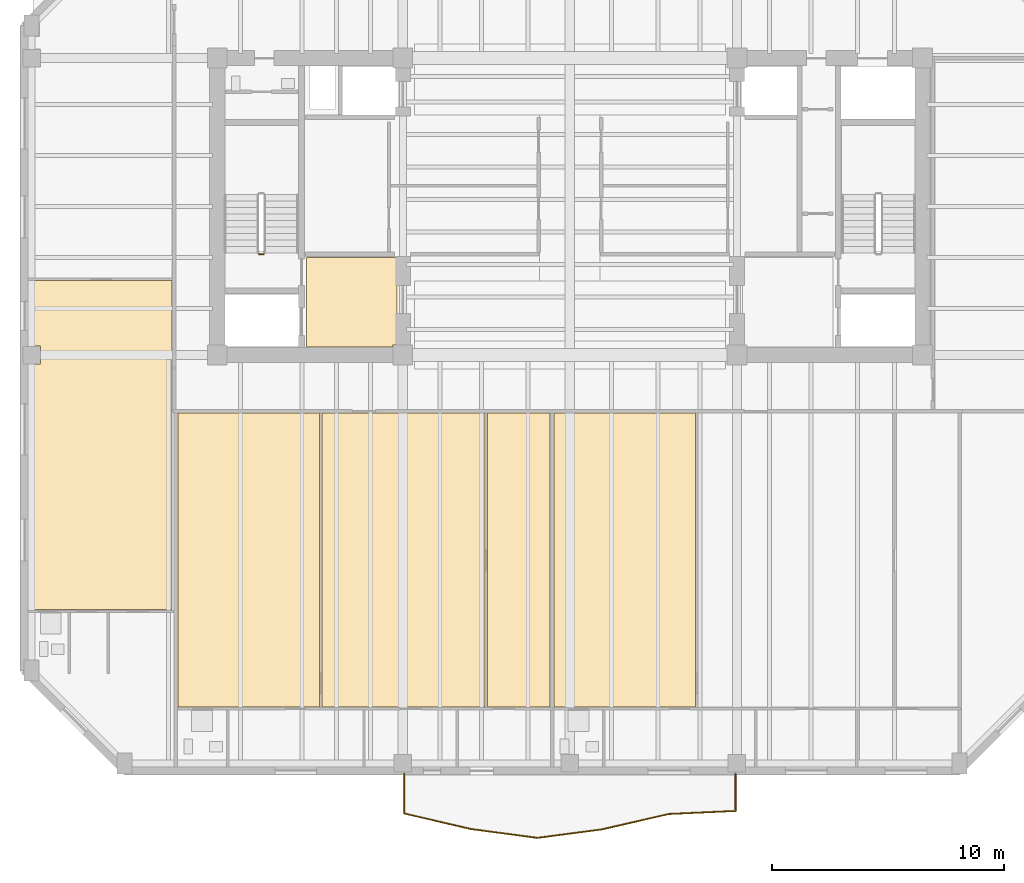
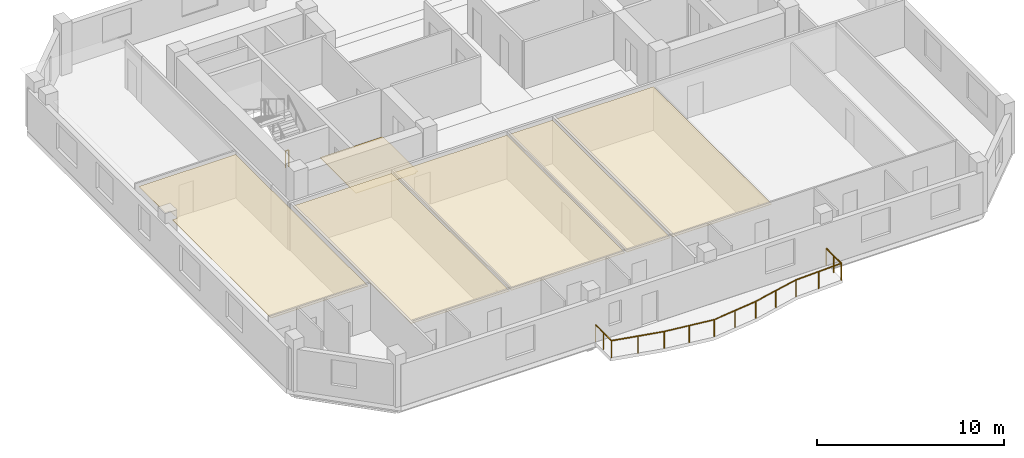
# One storey, part 7 of 11: 6 coverings, 2 railings.
"""IFC4 building model written with IfcOpenShell, lengths in metres."""

from ifc_helpers import new_model, si_unit, direction, frame, origin, origin_2d, place, context, subcontext, project, spatial, polyline, circle, outline, extrude, material, layer, layer_set, type_object, element, save


model = new_model("IFC4")

# Units and contexts
model_context = context("Model", 3, precision=1e-05, world=origin(), true_north=direction((0.0, 1.0)))
body_context = subcontext(model_context, "Body", "Model", "MODEL_VIEW")
ifc_project = project(units=[si_unit("LENGTHUNIT", "METRE"), si_unit("AREAUNIT", "SQUARE_METRE"), si_unit("VOLUMEUNIT", "CUBIC_METRE"), si_unit("PLANEANGLEUNIT", "RADIAN"), si_unit("MASSUNIT", "GRAM", prefix="KILO")], contexts=[model_context])

# Site, building, storey
site_placement = place(None, origin())
site = spatial("IfcSite", under=ifc_project, at=site_placement, CompositionType="ELEMENT")
building_placement = place(site_placement, origin())
building = spatial("IfcBuilding", under=site, at=building_placement, Name="Kranthara Brick Stack", CompositionType="ELEMENT")
storey_placement = place(building_placement, frame((0.0, 0.0, 210.89990234375)))
storey = spatial("IfcBuildingStorey", under=building, at=storey_placement, Name="L54", CompositionType="ELEMENT", Elevation=210.89990234375)

# Coverings
ifc_material_1 = material(Name="Perforated mineral-fibre acoustic ceiling tile", Category="other")
ifc_layer_1 = layer(ifc_material_1, 0.02490234375)
ifc_layer_set_1 = layer_set([ifc_layer_1], Name="Perforated mineral-fibre acoustic ceiling tile")
covering_type_1 = type_object("IfcCoveringType", Name="COV-CEIL-ACOUSTIC", PredefinedType="CEILING", material=ifc_layer_set_1)
covering_1_placement = place(storey_placement, frame((0.0, 0.0, 2.830078125)))
element("IfcCovering", 1, at=covering_1_placement, inside=storey, type_object=covering_type_1, Name="L54 Unit L54A Bedroom 3 Acoustic Ceiling", PredefinedType="CEILING", context=body_context, shape_type="SweptSolid", body=[
    extrude(outline(polyline([(27.154052734375, 5.6298828125), (27.154052734375, 18.300048828125), (24.44189453125, 18.300048828125), (24.44189453125, 5.6298828125), (27.154052734375, 5.6298828125)])), origin(), (0.0, 0.0, 1.0), 0.02490234375),
])
covering_2_placement = place(storey_placement, frame((0.0, 0.0, 2.830078125)))
element("IfcCovering", 2, at=covering_2_placement, inside=storey, type_object=covering_type_1, Name="L54 Unit L54A 3-Bed Apartment Living Dining Acoustic Ceiling", PredefinedType="CEILING", context=body_context, shape_type="SweptSolid", body=[
    extrude(outline(polyline([(17.2060546875, 5.6298828125), (17.2060546875, 18.300048828125), (11.10009765625, 18.300048828125), (11.10009765625, 5.6298828125), (17.2060546875, 5.6298828125)])), origin(), (0.0, 0.0, 1.0), 0.02490234375),
])
covering_3_placement = place(storey_placement, frame((0.0, 0.0, 2.830078125)))
element("IfcCovering", 3, at=covering_3_placement, inside=storey, type_object=covering_type_1, Name="L54 Unit L54A Private Study Room Acoustic Ceiling", PredefinedType="CEILING", context=body_context, shape_type="SweptSolid", body=[
    extrude(outline(polyline([(24.342041015625, 5.6298828125), (24.342041015625, 18.300048828125), (17.305908203125, 18.300048828125), (17.305908203125, 5.6298828125), (24.342041015625, 5.6298828125)])), origin(), (0.0, 0.0, 1.0), 0.02490234375),
])
covering_4_placement = place(storey_placement, frame((0.0, 0.0, 2.830078125)))
element("IfcCovering", 4, at=covering_4_placement, inside=storey, type_object=covering_type_1, Name="L54 Unit L54B 3-Bed Apartment Living Dining Acoustic Ceiling", PredefinedType="CEILING", context=body_context, shape_type="SweptSolid", body=[
    extrude(outline(polyline([(33.419921875, 5.6298828125), (33.419921875, 18.300048828125), (27.31396484375, 18.300048828125), (27.31396484375, 5.6298828125), (33.419921875, 5.6298828125)])), origin(), (0.0, 0.0, 1.0), 0.02490234375),
])
covering_5_placement = place(storey_placement, frame((0.0, 0.0, 2.830078125)))
element("IfcCovering", 5, at=covering_5_placement, inside=storey, type_object=covering_type_1, Name="L54 Unit L54C Private Study Room Acoustic Ceiling", PredefinedType="CEILING", context=body_context, shape_type="SweptSolid", body=[
    extrude(outline(polyline([(4.8701171875, 24.011962890625), (10.860107421875, 24.011962890625), (10.860107421875, 9.830078125), (4.8701171875, 9.830078125), (4.8701171875, 20.4150390625), (5.18505859375, 20.4150390625), (5.18505859375, 21.18505859375), (4.8701171875, 21.18505859375), (4.8701171875, 24.011962890625)])), origin(), (0.0, 0.0, 1.0), 0.02490234375),
])
ifc_material_2 = material(Name="Honed terrazzo and porcelain floor finish", Category="stone")
ifc_layer_2 = layer(ifc_material_2, 0.030029296875)
ifc_layer_set_2 = layer_set([ifc_layer_2], Name="Honed terrazzo and porcelain floor finish")
covering_type_2 = type_object("IfcCoveringType", Name="COV-FLOR-STONE", PredefinedType="FLOORING", material=ifc_layer_set_2)
covering_6_placement = place(storey_placement, origin())
element("IfcCovering", 6, at=covering_6_placement, inside=storey, type_object=covering_type_2, Name="L54 Lift Lobby Stone Flooring", PredefinedType="FLOORING", context=body_context, shape_type="SweptSolid", body=[
    extrude(outline(polyline([(16.64990234375, 21.14990234375), (16.64990234375, 25.0), (20.550048828125, 25.0), (20.550048828125, 21.235107421875), (20.364990234375, 21.235107421875), (20.364990234375, 21.14990234375), (16.64990234375, 21.14990234375)])), origin(), (0.0, 0.0, 1.0), 0.030029296875),
])

# Railings
ifc_material_3 = material(Name="Bronze anodised aluminium and laminated glass balustrade", Category="aluminium")
railing_type_1 = type_object("IfcRailingType", Name="RL-BALC-1120", PredefinedType="BALUSTRADE", material=ifc_material_3)
railing_1_placement = place(storey_placement, frame((35.139892578125, 2.760009765625, 0.0)))
element("IfcRailing", 7, at=railing_1_placement, inside=storey, type_object=railing_type_1, Name="L54 South Rippling Balcony Balustrade", PredefinedType="BALUSTRADE", context=body_context, shape_type="SweptSolid", body=[
    extrude(circle(Radius=0.02392578125, at=origin_2d()), frame((0.0, 0.0, 1.09619140625), z_axis=(0.0, -1.0, 0.0), x_axis=(1.0, 0.0, 0.0)), (0.0, 0.0, 1.0), 1.60986328125),
    extrude(circle(Radius=0.02392578125, at=origin_2d()), frame((0.0, -1.60986328125, 1.09619140625), z_axis=(-0.99894218285, -0.045983859383, 0.0), x_axis=(0.045983859383, -0.99894218285, 0.0)), (0.0, 0.0, 1.0), 2.8828125),
    extrude(circle(Radius=0.02392578125, at=origin_2d()), frame((-2.8798828125, -1.742431640625, 1.09619140625), z_axis=(-0.974550119401, -0.224169723147, 0.0), x_axis=(0.224169723147, -0.974550119401, 0.0)), (0.0, 0.0, 1.0), 2.947021484375),
    extrude(circle(Radius=0.02392578125, at=origin_2d()), frame((-5.751953125, -2.403076171875, 1.09619140625), z_axis=(-0.991356596484, -0.131194887889, 0.0), x_axis=(0.131194887889, -0.991356596484, 0.0)), (0.0, 0.0, 1.0), 2.80615234375),
    extrude(circle(Radius=0.02392578125, at=origin_2d()), frame((-8.533935546875, -2.771240234375, 1.09619140625), z_axis=(-0.991269137584, 0.131854074164, 0.0), x_axis=(-0.131854074164, -0.991269137584, 0.0)), (0.0, 0.0, 1.0), 2.89208984375),
    extrude(circle(Radius=0.02392578125, at=origin_2d()), frame((-11.40087890625, -2.389892578125, 1.09619140625), z_axis=(-0.97395926968, 0.226723049124, 0.0), x_axis=(-0.226723049124, -0.97395926968, 0.0)), (0.0, 0.0, 1.0), 2.955810546875),
    extrude(circle(Radius=0.02392578125, at=origin_2d()), frame((-14.27978515625, -1.7197265625, 1.09619140625), z_axis=(0.0, 1.0, 0.0), x_axis=(-1.0, 0.0, 0.0)), (0.0, 0.0, 1.0), 1.7197265625),
    extrude(circle(Radius=0.02099609375, at=origin_2d()), origin(), (0.0, 0.0, 1.0), 1.072021484375),
    extrude(circle(Radius=0.02099609375, at=origin_2d()), frame((0.0, -0.804931640625, 0.0)), (0.0, 0.0, 1.0), 1.072021484375),
    extrude(circle(Radius=0.02099609375, at=origin_2d()), frame((0.0, -1.60986328125, 0.0)), (0.0, 0.0, 1.0), 1.072021484375),
    extrude(circle(Radius=0.02099609375, at=origin_2d()), frame((-1.43994140625, -1.67626953125, 0.0)), (0.0, 0.0, 1.0), 1.072021484375),
    extrude(circle(Radius=0.02099609375, at=origin_2d()), frame((-2.8798828125, -1.742431640625, 0.0)), (0.0, 0.0, 1.0), 1.072021484375),
    extrude(circle(Radius=0.02099609375, at=origin_2d()), frame((-4.31591796875, -2.07275390625, 0.0)), (0.0, 0.0, 1.0), 1.072021484375),
    extrude(circle(Radius=0.02099609375, at=origin_2d()), frame((-5.751953125, -2.403076171875, 0.0)), (0.0, 0.0, 1.0), 1.072021484375),
    extrude(circle(Radius=0.02099609375, at=origin_2d()), frame((-7.14306640625, -2.587158203125, 0.0)), (0.0, 0.0, 1.0), 1.072021484375),
    extrude(circle(Radius=0.02099609375, at=origin_2d()), frame((-8.533935546875, -2.771240234375, 0.0)), (0.0, 0.0, 1.0), 1.072021484375),
    extrude(circle(Radius=0.02099609375, at=origin_2d()), frame((-9.96728515625, -2.58056640625, 0.0)), (0.0, 0.0, 1.0), 1.072021484375),
    extrude(circle(Radius=0.02099609375, at=origin_2d()), frame((-11.40087890625, -2.389892578125, 0.0)), (0.0, 0.0, 1.0), 1.072021484375),
    extrude(circle(Radius=0.02099609375, at=origin_2d()), frame((-12.84033203125, -2.0546875, 0.0)), (0.0, 0.0, 1.0), 1.072021484375),
    extrude(circle(Radius=0.02099609375, at=origin_2d()), frame((-14.27978515625, -1.7197265625, 0.0)), (0.0, 0.0, 1.0), 1.072021484375),
    extrude(circle(Radius=0.02099609375, at=origin_2d()), frame((-14.27978515625, -0.85986328125, 0.0)), (0.0, 0.0, 1.0), 1.072021484375),
    extrude(circle(Radius=0.02099609375, at=origin_2d()), frame((-14.27978515625, 0.0, 0.0)), (0.0, 0.0, 1.0), 1.072021484375),
])
ifc_material_4 = material(Name="Painted galvanized steel stair guardrail", Category="steel")
railing_type_2 = type_object("IfcRailingType", Name="RL-STAIR-GUARD-1100", PredefinedType="GUARDRAIL", material=ifc_material_4)
railing_2_placement = place(storey_placement, frame((14.800048828125, 25.14990234375, 0.0)))
element("IfcRailing", 8, at=railing_2_placement, inside=storey, type_object=railing_type_2, Name="L54 ST01 stair guard 4", PredefinedType="GUARDRAIL", context=body_context, shape_type="SweptSolid", body=[
    extrude(circle(Radius=0.02392578125, at=origin_2d()), frame((0.0, 0.0, 1.076171875), z_axis=(-1.0, 0.0, 0.0), x_axis=(0.0, -1.0, 0.0)), (0.0, 0.0, 1.0), 0.199951171875),
    extrude(circle(Radius=0.02099609375, at=origin_2d()), origin(), (0.0, 0.0, 1.0), 1.052001953125),
    extrude(circle(Radius=0.02099609375, at=origin_2d()), frame((-0.199951171875, 0.0, 0.0)), (0.0, 0.0, 1.0), 1.052001953125),
])

save(model, "model.ifc")
